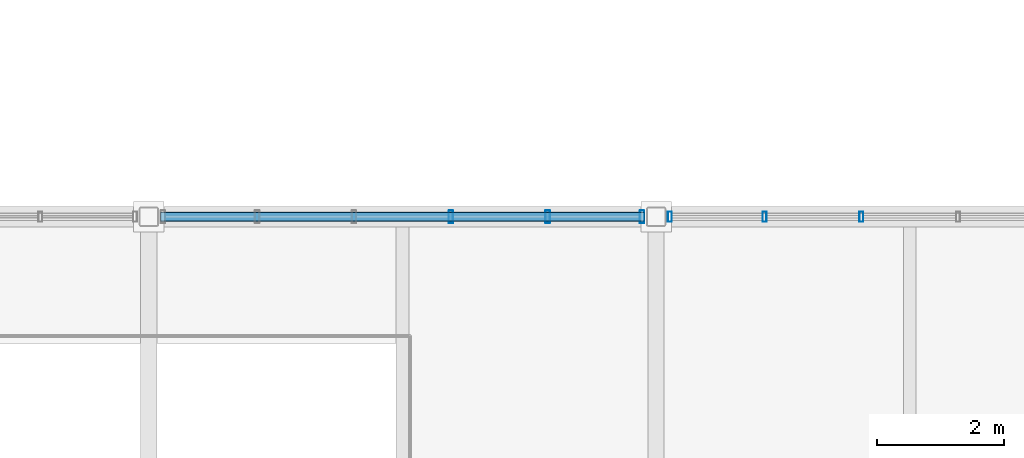
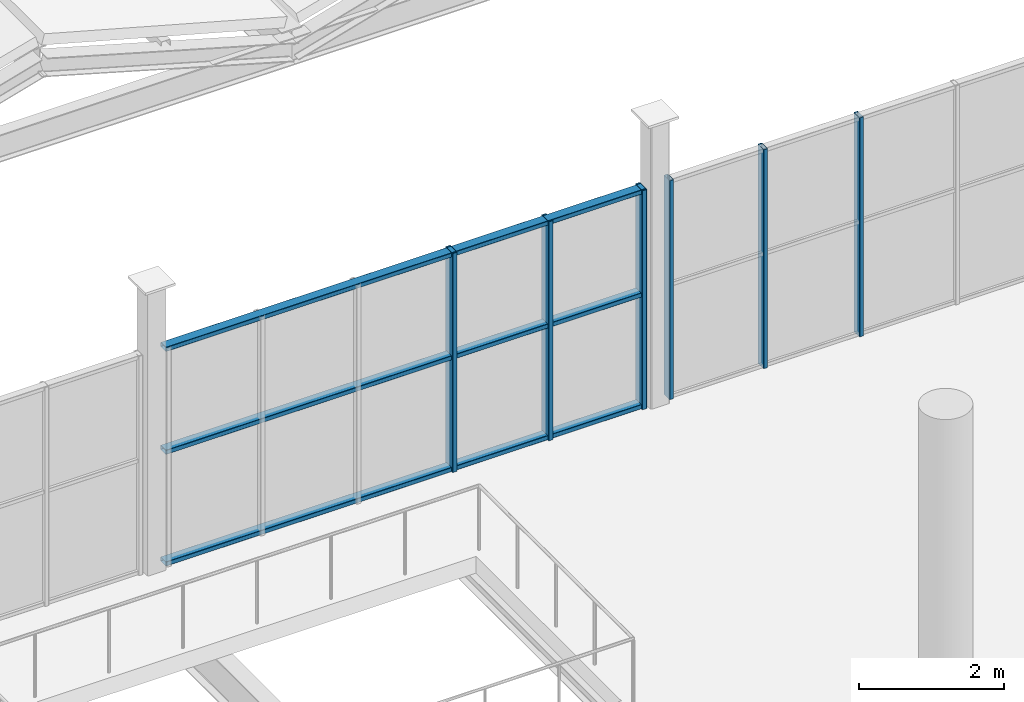
# One storey, part 41 of 114: 9 members, 2 elements without a shape of their own.
"""IFC4 building model written with IfcOpenShell, lengths in metres."""

import ifcopenshell
import ifcopenshell.guid

model = None  # the IFC model being written
_history = None  # IfcOwnerHistory: only IFC2X3 demands one
_inside = {}  # id of a spatial element -> (the spatial element, [elements in it])
_under = {}  # id of a project, library or spatial element -> (it, [spatial elements below it])
_declared = {}  # id of a project -> (the project, [libraries it declares])
_typed = {}  # id of a type object -> (the type object, [elements of that type])
_made_of = {}  # id of a material, layer set ... -> (it, [elements and type objects made of it])


def new_model(schema):
    """Start an empty IFC model of exactly this schema.

    Asked for "IFC4X3", IfcOpenShell would pick the latest addendum, in which some entities
    have other attributes; the version numbers below select the first issue.
    IFC2X3 requires an IfcOwnerHistory on every rooted entity: one is made here for all.
    """
    global model, _history
    if schema == "IFC4X3":
        model = ifcopenshell.file(schema_version=(4, 3, 0, 0))
    else:
        model = ifcopenshell.file(schema=schema)
    _inside.clear()
    _under.clear()
    _declared.clear()
    _typed.clear()
    _made_of.clear()
    _history = None
    if model.schema == "IFC2X3":
        org = make("IfcOrganization", Name="unknown")
        user = make(
            "IfcPersonAndOrganization",
            ThePerson=make("IfcPerson", FamilyName="unknown"),
            TheOrganization=org,
        )
        app = make(
            "IfcApplication",
            ApplicationDeveloper=org,
            Version="unknown",
            ApplicationFullName="unknown",
            ApplicationIdentifier="unknown",
        )
        _history = make(
            "IfcOwnerHistory",
            OwningUser=user,
            OwningApplication=app,
            ChangeAction="ADDED",
            CreationDate=0,
        )
    return model


def make(cls, **values):
    """One entity of the class cls with the attributes given. An attribute that is None is left unset."""
    return model.create_entity(
        cls, **{name: value for name, value in values.items() if value is not None}
    )


def rooted(cls, **values):
    """An entity with a GlobalId (a new one), such as an element, a storey or a relation."""
    return make(cls, GlobalId=ifcopenshell.guid.new(), OwnerHistory=_history, **values)


def si_unit(unit_type, name, prefix=None):
    """IfcSIUnit, for example si_unit("LENGTHUNIT", "METRE", prefix="MILLI")."""
    return make("IfcSIUnit", UnitType=unit_type, Prefix=prefix, Name=name)


def assignment(units):
    """IfcUnitAssignment: the units of a project."""
    return None if units is None else make("IfcUnitAssignment", Units=units)


def point(xyz):
    """IfcCartesianPoint."""
    return None if xyz is None else make("IfcCartesianPoint", Coordinates=xyz)


def direction(xyz):
    """IfcDirection."""
    return None if xyz is None else make("IfcDirection", DirectionRatios=xyz)


def frame(location, z_axis=None, x_axis=None):
    """IfcAxis2Placement3D, a coordinate frame: its origin and axes. An axis left out is left unset."""
    return make(
        "IfcAxis2Placement3D",
        Location=point(location),
        Axis=direction(z_axis),
        RefDirection=direction(x_axis),
    )


def frame_2d(location, x_axis=None):
    """IfcAxis2Placement2D, a coordinate frame in the plane: its origin and x axis."""
    return make(
        "IfcAxis2Placement2D", Location=point(location), RefDirection=direction(x_axis)
    )


def origin():
    """The frame at (0, 0, 0) with its axes left unset."""
    return frame((0.0, 0.0, 0.0))


def origin_2d():
    """The frame at (0, 0) in the plane with its x axis left unset."""
    return frame_2d((0.0, 0.0))


def place(relative_to, where):
    """IfcLocalPlacement: puts the frame where relative to a parent placement (None: the world)."""
    return make(
        "IfcLocalPlacement", PlacementRelTo=relative_to, RelativePlacement=where
    )


def context(
    kind, dimensions, precision=None, world=None, true_north=None, identifier=None
):
    """IfcGeometricRepresentationContext, for example the 3D "Model" context."""
    return make(
        "IfcGeometricRepresentationContext",
        ContextIdentifier=identifier,
        ContextType=kind,
        CoordinateSpaceDimension=dimensions,
        Precision=precision,
        WorldCoordinateSystem=world,
        TrueNorth=true_north,
    )


def subcontext(parent, identifier, kind, view, scale=None):
    """IfcGeometricRepresentationSubContext, for example "Body" below "Model"."""
    return make(
        "IfcGeometricRepresentationSubContext",
        ContextIdentifier=identifier,
        ContextType=kind,
        ParentContext=parent,
        TargetScale=scale,
        TargetView=view,
    )


def project(units=None, contexts=None):
    """IfcProject with its units and contexts."""
    return rooted(
        "IfcProject",
        Name="project",
        RepresentationContexts=contexts,
        UnitsInContext=assignment(units),
    )


def spatial(cls, under=None, at=None, **own):
    """A site, building, storey or space (cls), placed at a placement, below another one or the project."""
    s = rooted(cls, ObjectPlacement=at, **own)
    if under is not None:
        _under.setdefault(under.id(), (under, []))[1].append(s)
    return s


def profile(cls, at=None, kind="AREA", **sizes):
    """A parametric profile (cls). Its sizes go by their IFC names, for example OverallWidth=200.0."""
    return make(cls, ProfileType=kind, Position=at, **sizes)


def hollow_rectangle(**sizes):
    """IfcRectangleHollowProfileDef."""
    return profile("IfcRectangleHollowProfileDef", **sizes)


def extrude(swept, where, along, depth):
    """IfcExtrudedAreaSolid: the profile swept, set in the frame where, extruded along a direction by depth."""
    return make(
        "IfcExtrudedAreaSolid",
        SweptArea=swept,
        Position=where,
        ExtrudedDirection=direction(along),
        Depth=depth,
    )


def shape(context_of_items, identifier, shape_type, items):
    """IfcShapeRepresentation: the items that make up one representation, for example the "Body"."""
    return make(
        "IfcShapeRepresentation",
        ContextOfItems=context_of_items,
        RepresentationIdentifier=identifier,
        RepresentationType=shape_type,
        Items=items,
    )


def material(Name=None, Category=None):
    """IfcMaterial."""
    return make("IfcMaterial", Name=Name, Category=Category)


def material_profile(
    of_material, cross_section, Name=None, Category=None, Priority=None
):
    """IfcMaterialProfile: a cross section and its material."""
    return make(
        "IfcMaterialProfile",
        Name=Name,
        Material=of_material,
        Profile=cross_section,
        Priority=Priority,
        Category=Category,
    )


def profile_set(profiles, Name=None, composite=None):
    """IfcMaterialProfileSet."""
    return make(
        "IfcMaterialProfileSet",
        Name=Name,
        MaterialProfiles=profiles,
        CompositeProfile=composite,
    )


def made_of(thing, what):
    """Note that an element or type object is made of a material, layer set ...; save() writes the relation."""
    if what is not None:
        _made_of.setdefault(what.id(), (what, []))[1].append(thing)
    return thing


def type_object(cls, material=None, **own):
    """A type object (cls), such as IfcWallType, which elements share."""
    return made_of(rooted(cls, **own), material)


def element(
    cls,
    number,
    at=None,
    inside=None,
    cuts=None,
    type_object=None,
    material=None,
    context=None,
    identifier="Body",
    shape_type=None,
    held_by="IfcProductDefinitionShape",
    body=None,
    shapes=None,
    **own,
):
    """One element of the class cls, such as IfcWall. Its Tag is "e" and its number.

    at: its placement. inside: the storey or other place that contains it. cuts: it is an
    opening in that element (IfcRelVoidsElement). A single representation is given by context,
    identifier, shape_type and body (its items); several are given by shapes. held_by: the class
    of the entity that holds the representations. save() writes the other relations.
    """
    e = rooted(cls, Tag="e%d" % number, ObjectPlacement=at, **own)
    if body is not None:
        shapes = [shape(context, identifier, shape_type, body)]
    if shapes is not None:
        e.Representation = make(held_by, Representations=shapes)
    if inside is not None:
        _inside.setdefault(inside.id(), (inside, []))[1].append(e)
    if cuts is not None:
        rooted(
            "IfcRelVoidsElement", RelatingBuildingElement=cuts, RelatedOpeningElement=e
        )
    if type_object is not None:
        _typed.setdefault(type_object.id(), (type_object, []))[1].append(e)
    return made_of(e, material)


def aggregate(whole, parts):
    """IfcRelAggregates: a whole, such as a stair, and the parts it consists of."""
    return rooted("IfcRelAggregates", RelatingObject=whole, RelatedObjects=parts)


def save(model, path):
    """Write the relations noted so far, then the file.

    IfcRelAggregates (storeys below a building ...), IfcRelContainedInSpatialStructure (elements
    in a storey), IfcRelDefinesByType, IfcRelAssociatesMaterial and IfcRelDeclares: one each for
    every whole, place, type object, material and project.
    """
    for whole, parts in _under.values():
        aggregate(whole, parts)
    for where, things in _inside.values():
        rooted(
            "IfcRelContainedInSpatialStructure",
            RelatedElements=things,
            RelatingStructure=where,
        )
    for kind, things in _typed.values():
        rooted("IfcRelDefinesByType", RelatedObjects=things, RelatingType=kind)
    for what, things in _made_of.values():
        rooted("IfcRelAssociatesMaterial", RelatedObjects=things, RelatingMaterial=what)
    for by, libraries in _declared.values():
        rooted("IfcRelDeclares", RelatingContext=by, RelatedDefinitions=libraries)
    model.write(path)


model = new_model("IFC4")

# Units and contexts
model_context = context("Model", 3, precision=1e-05, world=origin(), true_north=direction((0.0, 1.0)))
body_context = subcontext(model_context, "Body", "Model", "MODEL_VIEW")
ifc_project = project(units=[si_unit("LENGTHUNIT", "METRE"), si_unit("AREAUNIT", "SQUARE_METRE"), si_unit("VOLUMEUNIT", "CUBIC_METRE"), si_unit("PLANEANGLEUNIT", "RADIAN"), si_unit("MASSUNIT", "GRAM", prefix="KILO")], contexts=[model_context])

# Site, building, storey
site_placement = place(None, origin())
site = spatial("IfcSite", under=ifc_project, at=site_placement, CompositionType="ELEMENT")
building_placement = place(site_placement, origin())
building = spatial("IfcBuilding", under=site, at=building_placement, Name="Verrall Gate Interchange", CompositionType="ELEMENT")
storey_placement = place(building_placement, frame((0.0, 0.0, 6.60009765625)))
storey = spatial("IfcBuildingStorey", under=building, at=storey_placement, Name="L02", CompositionType="ELEMENT", Elevation=6.60009765625)

# Curtain wall, members
ifc_material_1 = material(Name="Thermally Broken Anodized Aluminium Curtain Wall Framing", Category="aluminium")
curtain_wall_type = type_object("IfcCurtainWallType", Name="CW-21 Unitized Curtain Wall 7631x3680", PredefinedType="NOTDEFINED", material=ifc_material_1)
curtain_wall_1_placement = place(storey_placement, origin())
curtain_wall_1 = element("IfcCurtainWall", 1, at=curtain_wall_1_placement, inside=storey, type_object=curtain_wall_type, Name="L02 Unitized Curtain Wall CW-L02-078", PredefinedType="NOTDEFINED")
ifc_material_2 = material(Name="Thermally Broken Anodized Aluminium Curtain Wall Framing", Category="aluminium")
ifc_material_profile_1 = material_profile(ifc_material_2, hollow_rectangle(XDim=0.06494140625, YDim=0.159912109375, WallThickness=0.00390625, InnerFilletRadius=0.00390625, OuterFilletRadius=0.008056640625, at=origin_2d()), Name="CWM160x65x4")
ifc_profile_set_1 = profile_set([ifc_material_profile_1], Name="Thermally Broken Anodized Aluminium Curtain Wall Framing")
member_type_1 = type_object("IfcMemberType", Name="CM-01 Curtain Mullion CWM160x65x4", PredefinedType="MULLION", material=ifc_profile_set_1)
member_1_placement = place(storey_placement, frame((87.23681640625, 56.0, 0.0), z_axis=(0.0, 0.0, 1.0), x_axis=(-1.0, 0.0, 0.0)))
member_1 = element("IfcMember", 2, at=member_1_placement, type_object=member_type_1, Name="CW-L02-078 Mullion 4", PredefinedType="MULLION", context=body_context, shape_type="SweptSolid", body=[
    extrude(hollow_rectangle(XDim=0.06494140625, YDim=0.159912109375, WallThickness=0.00390625, InnerFilletRadius=0.00390625, OuterFilletRadius=0.008056640625, at=origin_2d()), origin(), (0.0, 0.0, 1.0), 3.679931640625),
])
member_2_placement = place(storey_placement, frame((85.710693359375, 56.0, 0.0), z_axis=(0.0, 0.0, 1.0), x_axis=(-1.0, 0.0, 0.0)))
member_2 = element("IfcMember", 3, at=member_2_placement, type_object=member_type_1, Name="CW-L02-078 Mullion 5", PredefinedType="MULLION", context=body_context, shape_type="SweptSolid", body=[
    extrude(hollow_rectangle(XDim=0.06494140625, YDim=0.159912109375, WallThickness=0.00390625, InnerFilletRadius=0.00390625, OuterFilletRadius=0.008056640625, at=origin_2d()), origin(), (0.0, 0.0, 1.0), 3.679931640625),
])
member_3_placement = place(storey_placement, frame((84.217041015625, 56.0, 0.0), z_axis=(0.0, 0.0, 1.0), x_axis=(-1.0, 0.0, 0.0)))
member_3 = element("IfcMember", 4, at=member_3_placement, type_object=member_type_1, Name="CW-L02-078 Mullion 6", PredefinedType="MULLION", context=body_context, shape_type="SweptSolid", body=[
    extrude(hollow_rectangle(XDim=0.06494140625, YDim=0.159912109375, WallThickness=0.00390625, InnerFilletRadius=0.00390625, OuterFilletRadius=0.008056640625, at=origin_2d()), origin(), (0.0, 0.0, 1.0), 3.679931640625),
])
aggregate(curtain_wall_1, [member_1, member_2, member_3])

curtain_wall_2_placement = place(storey_placement, origin())
curtain_wall_2 = element("IfcCurtainWall", 5, at=curtain_wall_2_placement, inside=storey, type_object=curtain_wall_type, Name="L02 Unitized Curtain Wall CW-L02-079", PredefinedType="NOTDEFINED")
ifc_material_3 = material(Name="Thermally Broken Anodized Aluminium Curtain Wall Framing", Category="aluminium")
ifc_material_profile_2 = material_profile(ifc_material_3, hollow_rectangle(XDim=0.074951171875, YDim=0.199951171875, WallThickness=0.0048828125, InnerFilletRadius=0.0048828125, OuterFilletRadius=0.010009765625, at=origin_2d()), Name="CWM200x75x5")
ifc_profile_set_2 = profile_set([ifc_material_profile_2], Name="Thermally Broken Anodized Aluminium Curtain Wall Framing")
member_type_2 = type_object("IfcMemberType", Name="CM-02 Curtain Mullion CWM200x75x5", PredefinedType="MULLION", material=ifc_profile_set_2)
member_4_placement = place(storey_placement, frame((83.778076171875, 56.0, 0.0), z_axis=(0.0, 0.0, 1.0), x_axis=(-1.0, 0.0, 0.0)))
member_4 = element("IfcMember", 6, at=member_4_placement, type_object=member_type_2, Name="CW-L02-079 Mullion 1", PredefinedType="MULLION", context=body_context, shape_type="SweptSolid", body=[
    extrude(hollow_rectangle(XDim=0.074951171875, YDim=0.199951171875, WallThickness=0.0048828125, InnerFilletRadius=0.0048828125, OuterFilletRadius=0.010009765625, at=origin_2d()), origin(), (0.0, 0.0, 1.0), 3.679931640625),
])
member_5_placement = place(storey_placement, frame((82.289306640625, 56.0, 0.0), z_axis=(0.0, 0.0, 1.0), x_axis=(-1.0, 0.0, 0.0)))
member_5 = element("IfcMember", 7, at=member_5_placement, type_object=member_type_2, Name="CW-L02-079 Mullion 2", PredefinedType="MULLION", context=body_context, shape_type="SweptSolid", body=[
    extrude(hollow_rectangle(XDim=0.074951171875, YDim=0.199951171875, WallThickness=0.0048828125, InnerFilletRadius=0.0048828125, OuterFilletRadius=0.010009765625, at=origin_2d()), origin(), (0.0, 0.0, 1.0), 3.679931640625),
])
member_6_placement = place(storey_placement, frame((80.76318359375, 56.0, 0.0), z_axis=(0.0, 0.0, 1.0), x_axis=(-1.0, 0.0, 0.0)))
member_6 = element("IfcMember", 8, at=member_6_placement, type_object=member_type_2, Name="CW-L02-079 Mullion 3", PredefinedType="MULLION", context=body_context, shape_type="SweptSolid", body=[
    extrude(hollow_rectangle(XDim=0.074951171875, YDim=0.199951171875, WallThickness=0.0048828125, InnerFilletRadius=0.0048828125, OuterFilletRadius=0.010009765625, at=origin_2d()), origin(), (0.0, 0.0, 1.0), 3.679931640625),
])
ifc_material_4 = material(Name="Thermally Broken Anodized Aluminium Curtain Wall Framing", Category="aluminium")
ifc_material_profile_3 = material_profile(ifc_material_4, hollow_rectangle(XDim=0.14990234375, YDim=0.074951171875, WallThickness=0.00439453125, InnerFilletRadius=0.00439453125, OuterFilletRadius=0.009033203125, at=origin_2d()), Name="CWT150x75x4.5")
ifc_profile_set_3 = profile_set([ifc_material_profile_3], Name="Thermally Broken Anodized Aluminium Curtain Wall Framing")
member_type_3 = type_object("IfcMemberType", Name="CT-02 Curtain Transom CWT150x75x4.5", PredefinedType="USERDEFINED", material=ifc_profile_set_3)
member_7_placement = place(storey_placement, frame((83.8154296875, 56.0, 0.037353515625), z_axis=(-1.0, 0.0, 0.0), x_axis=(0.0, -1.0, 0.0)))
member_7 = element("IfcMember", 9, at=member_7_placement, type_object=member_type_3, Name="CW-L02-079 Transom 1", ObjectType="TRANSOM", PredefinedType="USERDEFINED", context=body_context, shape_type="SweptSolid", body=[
    extrude(hollow_rectangle(XDim=0.14990234375, YDim=0.074951171875, WallThickness=0.00439453125, InnerFilletRadius=0.00439453125, OuterFilletRadius=0.009033203125, at=origin_2d()), origin(), (0.0, 0.0, 1.0), 7.630859375),
])
member_8_placement = place(storey_placement, frame((83.8154296875, 56.0, 1.91357421875), z_axis=(-1.0, 0.0, 0.0), x_axis=(0.0, -1.0, 0.0)))
member_8 = element("IfcMember", 10, at=member_8_placement, type_object=member_type_3, Name="CW-L02-079 Transom 2", ObjectType="TRANSOM", PredefinedType="USERDEFINED", context=body_context, shape_type="SweptSolid", body=[
    extrude(hollow_rectangle(XDim=0.14990234375, YDim=0.074951171875, WallThickness=0.00439453125, InnerFilletRadius=0.00439453125, OuterFilletRadius=0.009033203125, at=origin_2d()), origin(), (0.0, 0.0, 1.0), 7.630859375),
])
member_9_placement = place(storey_placement, frame((83.8154296875, 56.0, 3.642333984375), z_axis=(-1.0, 0.0, 0.0), x_axis=(0.0, -1.0, 0.0)))
member_9 = element("IfcMember", 11, at=member_9_placement, type_object=member_type_3, Name="CW-L02-079 Transom 3", ObjectType="TRANSOM", PredefinedType="USERDEFINED", context=body_context, shape_type="SweptSolid", body=[
    extrude(hollow_rectangle(XDim=0.14990234375, YDim=0.074951171875, WallThickness=0.00439453125, InnerFilletRadius=0.00439453125, OuterFilletRadius=0.009033203125, at=origin_2d()), origin(), (0.0, 0.0, 1.0), 7.630859375),
])
aggregate(curtain_wall_2, [member_4, member_5, member_6, member_7, member_8, member_9])

save(model, "model.ifc")
